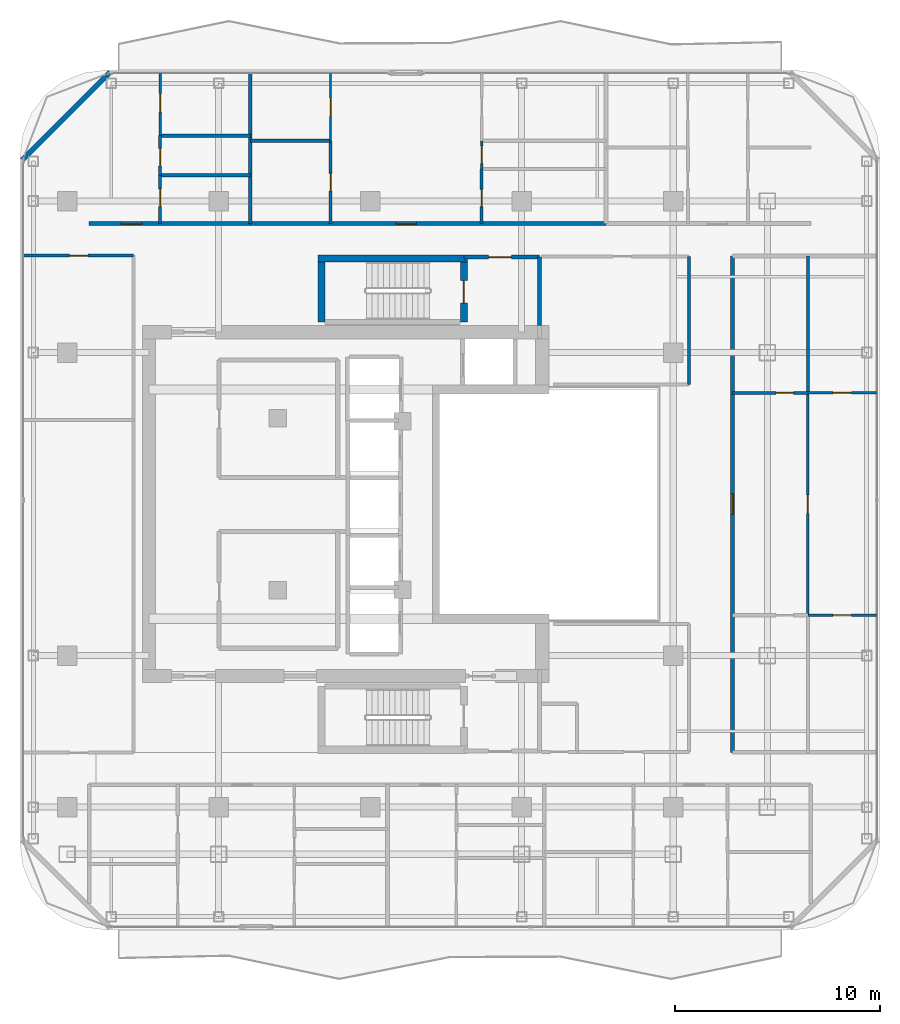
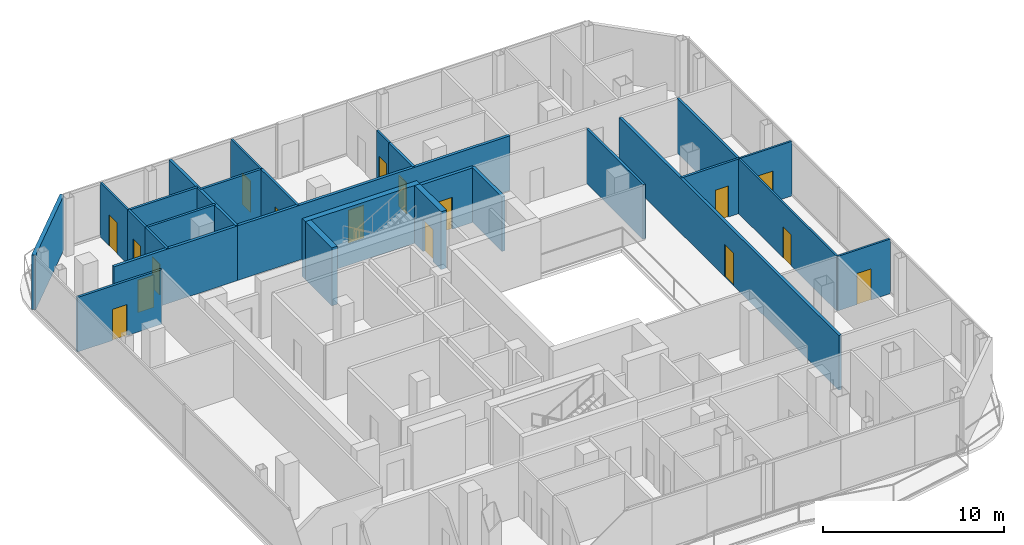
# One storey, part 19 of 23: 27 walls, 17 doors, 17 openings.
"""IFC4 building model written with IfcOpenShell, lengths in metres."""

from ifc_helpers import new_model, si_unit, direction, frame, frame_2d, origin, place, context, subcontext, project, spatial, rectangle, extrude, material, layer, layer_set, type_object, element, fill, save


model = new_model("IFC4")

# Units and contexts
model_context = context("Model", 3, precision=1e-05, world=origin(), true_north=direction((0.0, 1.0)))
body_context = subcontext(model_context, "Body", "Model", "MODEL_VIEW")
ifc_project = project(units=[si_unit("LENGTHUNIT", "METRE"), si_unit("AREAUNIT", "SQUARE_METRE"), si_unit("VOLUMEUNIT", "CUBIC_METRE"), si_unit("PLANEANGLEUNIT", "RADIAN"), si_unit("MASSUNIT", "GRAM", prefix="KILO")], contexts=[model_context])

# Site, building, storey
site_placement = place(None, origin())
site = spatial("IfcSite", under=ifc_project, at=site_placement, CompositionType="ELEMENT")
building_placement = place(site_placement, origin())
building = spatial("IfcBuilding", under=site, at=building_placement, Name="Khorvyn Point Tower", CompositionType="ELEMENT")
storey_placement = place(building_placement, frame((0.0, 0.0, 274.199951171875)))
storey = spatial("IfcBuildingStorey", under=building, at=storey_placement, Name="L67", CompositionType="ELEMENT", Elevation=274.199951171875)

# Wall, opening, door
ifc_material_1 = material(Name="Double acoustic gypsum on twin steel stud", Category="steel")
ifc_layer_1 = layer(ifc_material_1, 0.179931640625)
ifc_layer_set_1 = layer_set([ifc_layer_1], Name="Acoustic Double-Stud Apartment Demising Wall 180")
wall_type_1 = type_object("IfcWallType", Name="Acoustic Double-Stud Apartment Demising Wall 180", PredefinedType="PARTITIONING", material=ifc_layer_set_1)
wall_1_placement = place(storey_placement, frame((-13.719970703125, 13.699951171875, 0.0), z_axis=(0.0, 0.0, 1.0), x_axis=(1.0, 0.0, 0.0)))
wall_1 = element("IfcWall", 1, at=wall_1_placement, inside=storey, type_object=wall_type_1, Name="Wall", PredefinedType="PARTITIONING", context=body_context, shape_type="SweptSolid", body=[
    extrude(rectangle(XDim=7.869873046875, YDim=0.179931640625, at=frame_2d((3.93505859375, 0.0))), origin(), (0.0, 0.0, 1.0), 3.679931640625),
])
opening_1_placement = place(wall_1_placement, frame((1.576171875, 0.0, 0.0)))
opening_1 = element("IfcOpeningElement", 2, at=opening_1_placement, cuts=wall_1, Name="Opening ID-AP60", PredefinedType="OPENING", context=body_context, shape_type="SweptSolid", body=[
    extrude(rectangle(XDim=1.0, YDim=2.199951171875, at=frame_2d((0.5, 1.10009765625))), frame((0.0, 0.099853515625, 0.0), z_axis=(0.0, -1.0, 0.0), x_axis=(1.0, 0.0, 0.0)), (0.0, 0.0, 1.0), 0.199951171875),
])
ifc_material_2 = material(Name="Engineered hardwood fire-rated leaf", Category="wood")
door_type_1 = type_object("IfcDoorType", Name="Acoustic Solid-Core Timber Apartment Entrance Door 1000x2200", OperationType="NOTDEFINED", PredefinedType="DOOR", material=ifc_material_2)
door_1_placement = place(opening_1_placement, origin())
door_1 = element("IfcDoor", 3, at=door_1_placement, inside=storey, type_object=door_type_1, Name="Door", OperationType="SINGLE_SWING_LEFT", OverallHeight=2.199951171875, OverallWidth=1.0, PredefinedType="DOOR", context=body_context, shape_type="SweptSolid", body=[
    extrude(rectangle(XDim=1.0, YDim=2.199951171875, at=frame_2d((0.5, 1.10009765625))), frame((0.0, 0.02490234375, 0.0), z_axis=(0.0, -1.0, 0.0), x_axis=(1.0, 0.0, 0.0)), (0.0, 0.0, 1.0), 0.050048828125),
])
fill(opening_1, door_1)

wall_2_placement = place(storey_placement, frame((-5.85009765625, 13.699951171875, 0.0), z_axis=(0.0, 0.0, 1.0), x_axis=(1.0, 0.0, 0.0)))
wall_2 = element("IfcWall", 4, at=wall_2_placement, inside=storey, type_object=wall_type_1, Name="Wall", PredefinedType="PARTITIONING", context=body_context, shape_type="SweptSolid", body=[
    extrude(rectangle(XDim=17.3681640625, YDim=0.179931640625, at=frame_2d((8.68408203125, 0.0))), origin(), (0.0, 0.0, 1.0), 3.679931640625),
])
opening_2_placement = place(wall_2_placement, frame((7.114013671875, 0.0, 0.0)))
opening_2 = element("IfcOpeningElement", 5, at=opening_2_placement, cuts=wall_2, Name="Opening ID-AP60", PredefinedType="OPENING", context=body_context, shape_type="SweptSolid", body=[
    extrude(rectangle(XDim=1.0, YDim=2.199951171875, at=frame_2d((0.5, 1.10009765625))), frame((0.0, 0.099853515625, 0.0), z_axis=(0.0, -1.0, 0.0), x_axis=(1.0, 0.0, 0.0)), (0.0, 0.0, 1.0), 0.199951171875),
])
door_2_placement = place(opening_2_placement, origin())
door_2 = element("IfcDoor", 6, at=door_2_placement, inside=storey, type_object=door_type_1, Name="Door", OperationType="SINGLE_SWING_LEFT", OverallHeight=2.199951171875, OverallWidth=1.0, PredefinedType="DOOR", context=body_context, shape_type="SweptSolid", body=[
    extrude(rectangle(XDim=1.0, YDim=2.199951171875, at=frame_2d((0.5, 1.10009765625))), frame((0.0, 0.02490234375, 0.0), z_axis=(0.0, -1.0, 0.0), x_axis=(1.0, 0.0, 0.0)), (0.0, 0.0, 1.0), 0.050048828125),
])
fill(opening_2, door_2)

wall_3_placement = place(storey_placement, frame((17.699951171875, -12.1201171875, 0.0), z_axis=(0.0, 0.0, 1.0), x_axis=(0.0, 1.0, 0.0)))
wall_3 = element("IfcWall", 7, at=wall_3_placement, inside=storey, type_object=wall_type_1, Name="Wall", PredefinedType="PARTITIONING", context=body_context, shape_type="SweptSolid", body=[
    extrude(rectangle(XDim=24.240234375, YDim=0.179931640625, at=frame_2d((12.1201171875, 0.0))), origin(), (0.0, 0.0, 1.0), 3.679931640625),
])
opening_3_placement = place(wall_3_placement, frame((11.6201171875, 0.0, 0.0)))
opening_3 = element("IfcOpeningElement", 8, at=opening_3_placement, cuts=wall_3, Name="Opening ID-AP60", PredefinedType="OPENING", context=body_context, shape_type="SweptSolid", body=[
    extrude(rectangle(XDim=1.0, YDim=2.199951171875, at=frame_2d((0.5, 1.10009765625))), frame((0.0, 0.099853515625, 0.0), z_axis=(0.0, -1.0, 0.0), x_axis=(1.0, 0.0, 0.0)), (0.0, 0.0, 1.0), 0.199951171875),
])
door_3_placement = place(opening_3_placement, origin())
door_3 = element("IfcDoor", 9, at=door_3_placement, inside=storey, type_object=door_type_1, Name="Door", OperationType="SINGLE_SWING_LEFT", OverallHeight=2.199951171875, OverallWidth=1.0, PredefinedType="DOOR", context=body_context, shape_type="SweptSolid", body=[
    extrude(rectangle(XDim=1.0, YDim=2.199951171875, at=frame_2d((0.5, 1.10009765625))), frame((0.0, 0.02490234375, 0.0), z_axis=(0.0, -1.0, 0.0), x_axis=(1.0, 0.0, 0.0)), (0.0, 0.0, 1.0), 0.050048828125),
])
fill(opening_3, door_3)

# Walls
wall_4_placement = place(storey_placement, frame((-5.85009765625, 13.699951171875, 0.0), z_axis=(0.0, 0.0, 1.0), x_axis=(0.0, 1.0, 0.0)))
element("IfcWall", 10, at=wall_4_placement, inside=storey, type_object=wall_type_1, Name="Wall", PredefinedType="PARTITIONING", context=body_context, shape_type="SweptSolid", body=[
    extrude(rectangle(XDim=7.330078125, YDim=0.179931640625, at=frame_2d((3.6650390625, 0.0))), origin(), (0.0, 0.0, 1.0), 3.679931640625),
])
ifc_material_3 = material(Name="Pale anodised aluminium rainscreen on steel stud", Category="steel")
ifc_layer_2 = layer(ifc_material_3, 0.239990234375)
ifc_layer_set_2 = layer_set([ifc_layer_2], Name="Anodised Aluminium Insulated Corner Spandrel Wall 240")
wall_type_2 = type_object("IfcWallType", Name="Anodised Aluminium Insulated Corner Spandrel Wall 240", PredefinedType="SOLIDWALL", material=ifc_layer_set_2)
wall_5_placement = place(storey_placement, frame((-16.992431640625, 16.8076171875, 0.0), z_axis=(0.0, 0.0, 1.0), x_axis=(0.707126925818, 0.707086635981, 0.0)))
element("IfcWall", 11, at=wall_5_placement, inside=storey, type_object=wall_type_2, Name="L67 Rounded Corner Wall NW", PredefinedType="SOLIDWALL", context=body_context, shape_type="SweptSolid", body=[
    extrude(rectangle(XDim=6.0595703125, YDim=0.239990234375, at=frame_2d((3.02978515625, 0.0))), origin(), (0.0, 0.0, 1.0), 3.679931640625),
])

# Wall, opening, door
ifc_material_4 = material(Name="Concrete C40/50", Category="concrete")
ifc_layer_3 = layer(ifc_material_4, 0.199951171875)
ifc_layer_set_3 = layer_set([ifc_layer_3], Name="Concrete C40/50 Fire-Lobby Compartment Wall 200")
wall_type_3 = type_object("IfcWallType", Name="Concrete C40/50 Fire-Lobby Compartment Wall 200", PredefinedType="SOLIDWALL", material=ifc_layer_set_3)
wall_6_placement = place(storey_placement, frame((4.580078125, 12.06005859375, 0.0), z_axis=(0.0, 0.0, 1.0), x_axis=(1.0, 0.0, 0.0)))
wall_6 = element("IfcWall", 12, at=wall_6_placement, inside=storey, type_object=wall_type_3, Name="Wall", PredefinedType="SOLIDWALL", context=body_context, shape_type="SweptSolid", body=[
    extrude(rectangle(XDim=3.699951171875, YDim=0.199951171875, at=frame_2d((1.85009765625, 0.0))), origin(), (0.0, 0.0, 1.0), 3.679931640625),
])
opening_4_placement = place(wall_6_placement, frame((1.21240234375, 0.0, 0.0)))
opening_4 = element("IfcOpeningElement", 13, at=opening_4_placement, cuts=wall_6, Name="Opening ID-FL90", PredefinedType="OPENING", context=body_context, shape_type="SweptSolid", body=[
    extrude(rectangle(XDim=1.10009765625, YDim=2.14990234375, at=frame_2d((0.550048828125, 1.074951171875))), frame((0.0, 0.10986328125, 0.0), z_axis=(0.0, -1.0, 0.0), x_axis=(1.0, 0.0, 0.0)), (0.0, 0.0, 1.0), 0.219970703125),
])
ifc_material_5 = material(Name="Galvanised powder-coated steel", Category="steel")
door_type_2 = type_object("IfcDoorType", Name="Fire-Rated Steel Lobby and Stair Door 1100x2150", OperationType="NOTDEFINED", PredefinedType="DOOR", material=ifc_material_5)
door_4_placement = place(opening_4_placement, origin())
door_4 = element("IfcDoor", 14, at=door_4_placement, inside=storey, type_object=door_type_2, Name="Door", OperationType="SINGLE_SWING_LEFT", OverallHeight=2.14990234375, OverallWidth=1.10009765625, PredefinedType="DOOR", context=body_context, shape_type="SweptSolid", body=[
    extrude(rectangle(XDim=1.10009765625, YDim=2.14990234375, at=frame_2d((0.550048828125, 1.074951171875))), frame((0.0, 0.02490234375, 0.0), z_axis=(0.0, -1.0, 0.0), x_axis=(1.0, 0.0, 0.0)), (0.0, 0.0, 1.0), 0.050048828125),
])
fill(opening_4, door_4)

# Walls
wall_7_placement = place(storey_placement, frame((8.280029296875, 8.72509765625, 0.0), z_axis=(0.0, 0.0, 1.0), x_axis=(0.0, 1.0, 0.0)))
element("IfcWall", 15, at=wall_7_placement, inside=storey, type_object=wall_type_3, Name="Wall", PredefinedType="SOLIDWALL", context=body_context, shape_type="SweptSolid", body=[
    extrude(rectangle(XDim=3.3349609375, YDim=0.199951171875, at=frame_2d((1.66748046875, 0.0))), origin(), (0.0, 0.0, 1.0), 3.679931640625),
])
ifc_layer_4 = layer(ifc_material_4, 0.35009765625)
ifc_layer_set_4 = layer_set([ifc_layer_4], Name="Concrete C40/50 Stair Shaft Structural Wall 350")
wall_type_4 = type_object("IfcWallType", Name="Concrete C40/50 Stair Shaft Structural Wall 350", PredefinedType="SHEAR", material=ifc_layer_set_4)
wall_8_placement = place(storey_placement, frame((-2.554931640625, 12.0, 0.0), z_axis=(0.0, 0.0, 1.0), x_axis=(1.0, 0.0, 0.0)))
element("IfcWall", 16, at=wall_8_placement, inside=storey, type_object=wall_type_4, Name="L67 ST-02 North Shaft Wall", PredefinedType="SHEAR", context=body_context, shape_type="SweptSolid", body=[
    extrude(rectangle(XDim=7.309814453125, YDim=0.35009765625, at=frame_2d((3.65478515625, 0.0))), origin(), (0.0, 0.0, 1.0), 3.900146484375),
])
wall_9_placement = place(storey_placement, frame((-2.3798828125, 8.89990234375, 0.0), z_axis=(0.0, 0.0, 1.0), x_axis=(0.0, 1.0, 0.0)))
element("IfcWall", 17, at=wall_9_placement, inside=storey, type_object=wall_type_4, Name="L67 ST-02 West Shaft Wall", PredefinedType="SHEAR", context=body_context, shape_type="SweptSolid", body=[
    extrude(rectangle(XDim=2.925048828125, YDim=0.35009765625, at=frame_2d((1.46240234375, 0.0))), origin(), (0.0, 0.0, 1.0), 3.900146484375),
])

# Wall, opening, door
wall_10_placement = place(storey_placement, frame((4.580078125, 11.824951171875, 0.0), z_axis=(0.0, 0.0, 1.0), x_axis=(0.0, -1.0, 0.0)))
wall_10 = element("IfcWall", 18, at=wall_10_placement, inside=storey, type_object=wall_type_4, Name="L67 ST-02 East Landing Door Wall", PredefinedType="SHEAR", context=body_context, shape_type="SweptSolid", body=[
    extrude(rectangle(XDim=2.925048828125, YDim=0.35009765625, at=frame_2d((1.46240234375, 0.0))), origin(), (0.0, 0.0, 1.0), 3.900146484375),
])
opening_5_placement = place(wall_10_placement, frame((0.91259765625, 0.0, 0.0)))
opening_5 = element("IfcOpeningElement", 19, at=opening_5_placement, cuts=wall_10, Name="Opening ID-FL90", PredefinedType="OPENING", context=body_context, shape_type="SweptSolid", body=[
    extrude(rectangle(XDim=1.10009765625, YDim=2.14990234375, at=frame_2d((0.550048828125, 1.074951171875))), frame((0.0, 0.18505859375, 0.0), z_axis=(0.0, -1.0, 0.0), x_axis=(1.0, 0.0, 0.0)), (0.0, 0.0, 1.0), 0.3701171875),
])
door_5_placement = place(opening_5_placement, origin())
door_5 = element("IfcDoor", 20, at=door_5_placement, inside=storey, type_object=door_type_2, Name="L67 ST-02 Smokeproof Landing Door", OperationType="SINGLE_SWING_RIGHT", OverallHeight=2.14990234375, OverallWidth=1.10009765625, PredefinedType="DOOR", context=body_context, shape_type="SweptSolid", body=[
    extrude(rectangle(XDim=1.10009765625, YDim=2.14990234375, at=frame_2d((0.550048828125, 1.074951171875))), frame((0.0, 0.02490234375, 0.0), z_axis=(0.0, -1.0, 0.0), x_axis=(1.0, 0.0, 0.0)), (0.0, 0.0, 1.0), 0.050048828125),
])
fill(opening_5, door_5)

ifc_material_6 = material(Name="Gypsum plasterboard on steel stud", Category="steel")
ifc_layer_5 = layer(ifc_material_6, 0.1201171875)
ifc_layer_set_5 = layer_set([ifc_layer_5], Name="Gypsum Acoustic Stud Room Partition Wall 120")
wall_type_5 = type_object("IfcWallType", Name="Gypsum Acoustic Stud Room Partition Wall 120", PredefinedType="PARTITIONING", material=ifc_layer_set_5)
wall_11_placement = place(storey_placement, frame((-10.257080078125, 17.989990234375, 0.0), z_axis=(0.0, 0.0, 1.0), x_axis=(0.0, 1.0, 0.0)))
wall_11 = element("IfcWall", 21, at=wall_11_placement, inside=storey, type_object=wall_type_5, Name="Wall", PredefinedType="PARTITIONING", context=body_context, shape_type="SweptSolid", body=[
    extrude(rectangle(XDim=3.0400390625, YDim=0.1201171875, at=frame_2d((1.52001953125, 0.0))), origin(), (0.0, 0.0, 1.0), 3.679931640625),
])
opening_6_placement = place(wall_11_placement, frame((1.152587890625, 0.0, 0.0)))
opening_6 = element("IfcOpeningElement", 22, at=opening_6_placement, cuts=wall_11, Name="Opening ID-RM90", PredefinedType="OPENING", context=body_context, shape_type="SweptSolid", body=[
    extrude(rectangle(XDim=0.89990234375, YDim=2.10009765625, at=frame_2d((0.449951171875, 1.050048828125))), frame((0.0, 0.070068359375, 0.0), z_axis=(0.0, -1.0, 0.0), x_axis=(1.0, 0.0, 0.0)), (0.0, 0.0, 1.0), 0.14013671875),
])
ifc_material_7 = material(Name="Engineered oak veneer timber", Category="wood")
door_type_3 = type_object("IfcDoorType", Name="Flush Engineered Timber Room Door 900x2100", OperationType="NOTDEFINED", PredefinedType="DOOR", material=ifc_material_7)
door_6_placement = place(opening_6_placement, origin())
door_6 = element("IfcDoor", 23, at=door_6_placement, inside=storey, type_object=door_type_3, Name="Door", OperationType="SINGLE_SWING_RIGHT", OverallHeight=2.10009765625, OverallWidth=0.89990234375, PredefinedType="DOOR", context=body_context, shape_type="SweptSolid", body=[
    extrude(rectangle(XDim=0.89990234375, YDim=2.10009765625, at=frame_2d((0.449951171875, 1.050048828125))), frame((0.0, 0.02490234375, 0.0), z_axis=(0.0, -1.0, 0.0), x_axis=(1.0, 0.0, 0.0)), (0.0, 0.0, 1.0), 0.050048828125),
])
fill(opening_6, door_6)

wall_12_placement = place(storey_placement, frame((-1.93505859375, 17.743896484375, 0.0), z_axis=(0.0, 0.0, 1.0), x_axis=(0.0, 1.0, 0.0)))
wall_12 = element("IfcWall", 24, at=wall_12_placement, inside=storey, type_object=wall_type_5, Name="Wall", PredefinedType="PARTITIONING", context=body_context, shape_type="SweptSolid", body=[
    extrude(rectangle(XDim=3.2861328125, YDim=0.1201171875, at=frame_2d((1.64306640625, 0.0))), origin(), (0.0, 0.0, 1.0), 3.679931640625),
])
opening_7_placement = place(wall_12_placement, frame((1.193115234375, 0.0, 0.0)))
opening_7 = element("IfcOpeningElement", 25, at=opening_7_placement, cuts=wall_12, Name="Opening ID-RM90", PredefinedType="OPENING", context=body_context, shape_type="SweptSolid", body=[
    extrude(rectangle(XDim=0.89990234375, YDim=2.10009765625, at=frame_2d((0.449951171875, 1.050048828125))), frame((0.0, 0.070068359375, 0.0), z_axis=(0.0, -1.0, 0.0), x_axis=(1.0, 0.0, 0.0)), (0.0, 0.0, 1.0), 0.14013671875),
])
door_7_placement = place(opening_7_placement, origin())
door_7 = element("IfcDoor", 26, at=door_7_placement, inside=storey, type_object=door_type_3, Name="Door", OperationType="SINGLE_SWING_LEFT", OverallHeight=2.10009765625, OverallWidth=0.89990234375, PredefinedType="DOOR", context=body_context, shape_type="SweptSolid", body=[
    extrude(rectangle(XDim=0.89990234375, YDim=2.10009765625, at=frame_2d((0.449951171875, 1.050048828125))), frame((0.0, 0.02490234375, 0.0), z_axis=(0.0, -1.0, 0.0), x_axis=(1.0, 0.0, 0.0)), (0.0, 0.0, 1.0), 0.050048828125),
])
fill(opening_7, door_7)

wall_13_placement = place(storey_placement, frame((5.448974609375, 16.361083984375, 0.0), z_axis=(0.0, 0.0, 1.0), x_axis=(0.0, 1.0, 0.0)))
wall_13 = element("IfcWall", 27, at=wall_13_placement, inside=storey, type_object=wall_type_5, Name="Wall", PredefinedType="PARTITIONING", context=body_context, shape_type="SweptSolid", body=[
    extrude(rectangle(XDim=1.3828125, YDim=0.1201171875, at=frame_2d((0.69140625, 0.0))), origin(), (0.0, 0.0, 1.0), 3.679931640625),
])
opening_8_placement = place(wall_13_placement, frame((0.2666015625, 0.0, 0.0)))
opening_8 = element("IfcOpeningElement", 28, at=opening_8_placement, cuts=wall_13, Name="Opening ID-WC85", PredefinedType="OPENING", context=body_context, shape_type="SweptSolid", body=[
    extrude(rectangle(XDim=0.85009765625, YDim=2.10009765625, at=frame_2d((0.425048828125, 1.050048828125))), frame((0.0, 0.070068359375, 0.0), z_axis=(0.0, -1.0, 0.0), x_axis=(1.0, 0.0, 0.0)), (0.0, 0.0, 1.0), 0.14013671875),
])
ifc_material_8 = material(Name="High-pressure laminate on moisture-resistant core", Category="wood")
door_type_4 = type_object("IfcDoorType", Name="Moisture-Resistant Accessible Washroom Door 850x2100", OperationType="NOTDEFINED", PredefinedType="DOOR", material=ifc_material_8)
door_8_placement = place(opening_8_placement, origin())
door_8 = element("IfcDoor", 29, at=door_8_placement, inside=storey, type_object=door_type_4, Name="Door", OperationType="SINGLE_SWING_LEFT", OverallHeight=2.10009765625, OverallWidth=0.85009765625, PredefinedType="DOOR", context=body_context, shape_type="SweptSolid", body=[
    extrude(rectangle(XDim=0.85009765625, YDim=2.10009765625, at=frame_2d((0.425048828125, 1.050048828125))), frame((0.0, 0.02490234375, 0.0), z_axis=(0.0, -1.0, 0.0), x_axis=(1.0, 0.0, 0.0)), (0.0, 0.0, 1.0), 0.050048828125),
])
fill(opening_8, door_8)

wall_14_placement = place(storey_placement, frame((21.376953125, -5.427978515625, 0.0), z_axis=(0.0, 0.0, 1.0), x_axis=(0.0, 1.0, 0.0)))
wall_14 = element("IfcWall", 30, at=wall_14_placement, inside=storey, type_object=wall_type_5, Name="Wall", PredefinedType="PARTITIONING", context=body_context, shape_type="SweptSolid", body=[
    extrude(rectangle(XDim=10.85595703125, YDim=0.1201171875, at=frame_2d((5.427978515625, 0.0))), origin(), (0.0, 0.0, 1.0), 3.679931640625),
])
opening_9_placement = place(wall_14_placement, frame((4.97802734375, 0.0, 0.0)))
opening_9 = element("IfcOpeningElement", 31, at=opening_9_placement, cuts=wall_14, Name="Opening ID-RM90", PredefinedType="OPENING", context=body_context, shape_type="SweptSolid", body=[
    extrude(rectangle(XDim=0.89990234375, YDim=2.10009765625, at=frame_2d((0.449951171875, 1.050048828125))), frame((0.0, 0.070068359375, 0.0), z_axis=(0.0, -1.0, 0.0), x_axis=(1.0, 0.0, 0.0)), (0.0, 0.0, 1.0), 0.14013671875),
])
door_9_placement = place(opening_9_placement, origin())
door_9 = element("IfcDoor", 32, at=door_9_placement, inside=storey, type_object=door_type_3, Name="Door", OperationType="SINGLE_SWING_RIGHT", OverallHeight=2.10009765625, OverallWidth=0.89990234375, PredefinedType="DOOR", context=body_context, shape_type="SweptSolid", body=[
    extrude(rectangle(XDim=0.89990234375, YDim=2.10009765625, at=frame_2d((0.449951171875, 1.050048828125))), frame((0.0, 0.02490234375, 0.0), z_axis=(0.0, -1.0, 0.0), x_axis=(1.0, 0.0, 0.0)), (0.0, 0.0, 1.0), 0.050048828125),
])
fill(opening_9, door_9)

wall_15_placement = place(storey_placement, frame((21.376953125, -5.427978515625, 0.0), z_axis=(0.0, 0.0, 1.0), x_axis=(1.0, 0.0, 0.0)))
wall_15 = element("IfcWall", 33, at=wall_15_placement, inside=storey, type_object=wall_type_5, Name="Wall", PredefinedType="PARTITIONING", context=body_context, shape_type="SweptSolid", body=[
    extrude(rectangle(XDim=3.35302734375, YDim=0.1201171875, at=frame_2d((1.676513671875, 0.0))), origin(), (0.0, 0.0, 1.0), 3.679931640625),
])
opening_10_placement = place(wall_15_placement, frame((1.2265625, 0.0, 0.0)))
opening_10 = element("IfcOpeningElement", 34, at=opening_10_placement, cuts=wall_15, Name="Opening ID-RM90", PredefinedType="OPENING", context=body_context, shape_type="SweptSolid", body=[
    extrude(rectangle(XDim=0.89990234375, YDim=2.10009765625, at=frame_2d((0.449951171875, 1.050048828125))), frame((0.0, 0.070068359375, 0.0), z_axis=(0.0, -1.0, 0.0), x_axis=(1.0, 0.0, 0.0)), (0.0, 0.0, 1.0), 0.14013671875),
])
door_10_placement = place(opening_10_placement, origin())
door_10 = element("IfcDoor", 35, at=door_10_placement, inside=storey, type_object=door_type_3, Name="Door", OperationType="SINGLE_SWING_LEFT", OverallHeight=2.10009765625, OverallWidth=0.89990234375, PredefinedType="DOOR", context=body_context, shape_type="SweptSolid", body=[
    extrude(rectangle(XDim=0.89990234375, YDim=2.10009765625, at=frame_2d((0.449951171875, 1.050048828125))), frame((0.0, 0.02490234375, 0.0), z_axis=(0.0, -1.0, 0.0), x_axis=(1.0, 0.0, 0.0)), (0.0, 0.0, 1.0), 0.050048828125),
])
fill(opening_10, door_10)

wall_16_placement = place(storey_placement, frame((21.376953125, 5.427978515625, 0.0), z_axis=(0.0, 0.0, 1.0), x_axis=(1.0, 0.0, 0.0)))
wall_16 = element("IfcWall", 36, at=wall_16_placement, inside=storey, type_object=wall_type_5, Name="Wall", PredefinedType="PARTITIONING", context=body_context, shape_type="SweptSolid", body=[
    extrude(rectangle(XDim=3.35302734375, YDim=0.1201171875, at=frame_2d((1.676513671875, 0.0))), origin(), (0.0, 0.0, 1.0), 3.679931640625),
])
opening_11_placement = place(wall_16_placement, frame((1.2265625, 0.0, 0.0)))
opening_11 = element("IfcOpeningElement", 37, at=opening_11_placement, cuts=wall_16, Name="Opening ID-RM90", PredefinedType="OPENING", context=body_context, shape_type="SweptSolid", body=[
    extrude(rectangle(XDim=0.89990234375, YDim=2.10009765625, at=frame_2d((0.449951171875, 1.050048828125))), frame((0.0, 0.070068359375, 0.0), z_axis=(0.0, -1.0, 0.0), x_axis=(1.0, 0.0, 0.0)), (0.0, 0.0, 1.0), 0.14013671875),
])
door_11_placement = place(opening_11_placement, origin())
door_11 = element("IfcDoor", 38, at=door_11_placement, inside=storey, type_object=door_type_3, Name="Door", OperationType="SINGLE_SWING_RIGHT", OverallHeight=2.10009765625, OverallWidth=0.89990234375, PredefinedType="DOOR", context=body_context, shape_type="SweptSolid", body=[
    extrude(rectangle(XDim=0.89990234375, YDim=2.10009765625, at=frame_2d((0.449951171875, 1.050048828125))), frame((0.0, 0.02490234375, 0.0), z_axis=(0.0, -1.0, 0.0), x_axis=(1.0, 0.0, 0.0)), (0.0, 0.0, 1.0), 0.050048828125),
])
fill(opening_11, door_11)

ifc_material_9 = material(Name="Moisture-resistant gypsum and cement board", Category="gypsum")
ifc_layer_6 = layer(ifc_material_9, 0.14990234375)
ifc_layer_set_6 = layer_set([ifc_layer_6], Name="Moisture-Resistant Wet-Room Partition Wall 150")
wall_type_6 = type_object("IfcWallType", Name="Moisture-Resistant Wet-Room Partition Wall 150", PredefinedType="PARTITIONING", material=ifc_layer_set_6)
wall_17_placement = place(storey_placement, frame((-10.257080078125, 13.699951171875, 0.0), z_axis=(0.0, 0.0, 1.0), x_axis=(0.0, 1.0, 0.0)))
wall_17 = element("IfcWall", 39, at=wall_17_placement, inside=storey, type_object=wall_type_6, Name="Wall", PredefinedType="PARTITIONING", context=body_context, shape_type="SweptSolid", body=[
    extrude(rectangle(XDim=2.359130859375, YDim=0.14990234375, at=frame_2d((1.1796875, 0.0))), origin(), (0.0, 0.0, 1.0), 3.679931640625),
])
opening_12_placement = place(wall_17_placement, frame((0.83935546875, 0.0, 0.0)))
opening_12 = element("IfcOpeningElement", 40, at=opening_12_placement, cuts=wall_17, Name="Opening ID-WC85", PredefinedType="OPENING", context=body_context, shape_type="SweptSolid", body=[
    extrude(rectangle(XDim=0.85009765625, YDim=2.10009765625, at=frame_2d((0.425048828125, 1.050048828125))), frame((0.0, 0.0849609375, 0.0), z_axis=(0.0, -1.0, 0.0), x_axis=(1.0, 0.0, 0.0)), (0.0, 0.0, 1.0), 0.169921875),
])
door_12_placement = place(opening_12_placement, origin())
door_12 = element("IfcDoor", 41, at=door_12_placement, inside=storey, type_object=door_type_4, Name="Door", OperationType="SINGLE_SWING_RIGHT", OverallHeight=2.10009765625, OverallWidth=0.85009765625, PredefinedType="DOOR", context=body_context, shape_type="SweptSolid", body=[
    extrude(rectangle(XDim=0.85009765625, YDim=2.10009765625, at=frame_2d((0.425048828125, 1.050048828125))), frame((0.0, 0.02490234375, 0.0), z_axis=(0.0, -1.0, 0.0), x_axis=(1.0, 0.0, 0.0)), (0.0, 0.0, 1.0), 0.050048828125),
])
fill(opening_12, door_12)

wall_18_placement = place(storey_placement, frame((-10.257080078125, 16.05908203125, 0.0), z_axis=(0.0, 0.0, 1.0), x_axis=(0.0, 1.0, 0.0)))
wall_18 = element("IfcWall", 42, at=wall_18_placement, inside=storey, type_object=wall_type_6, Name="Wall", PredefinedType="PARTITIONING", context=body_context, shape_type="SweptSolid", body=[
    extrude(rectangle(XDim=1.930908203125, YDim=0.14990234375, at=frame_2d((0.96533203125, 0.0))), origin(), (0.0, 0.0, 1.0), 3.679931640625),
])
opening_13_placement = place(wall_18_placement, frame((0.46435546875, 0.0, 0.0)))
opening_13 = element("IfcOpeningElement", 43, at=opening_13_placement, cuts=wall_18, Name="Opening ID-WC85", PredefinedType="OPENING", context=body_context, shape_type="SweptSolid", body=[
    extrude(rectangle(XDim=0.85009765625, YDim=2.10009765625, at=frame_2d((0.425048828125, 1.050048828125))), frame((0.0, 0.0849609375, 0.0), z_axis=(0.0, -1.0, 0.0), x_axis=(1.0, 0.0, 0.0)), (0.0, 0.0, 1.0), 0.169921875),
])
door_13_placement = place(opening_13_placement, origin())
door_13 = element("IfcDoor", 44, at=door_13_placement, inside=storey, type_object=door_type_4, Name="Door", OperationType="SINGLE_SWING_LEFT", OverallHeight=2.10009765625, OverallWidth=0.85009765625, PredefinedType="DOOR", context=body_context, shape_type="SweptSolid", body=[
    extrude(rectangle(XDim=0.85009765625, YDim=2.10009765625, at=frame_2d((0.425048828125, 1.050048828125))), frame((0.0, 0.02490234375, 0.0), z_axis=(0.0, -1.0, 0.0), x_axis=(1.0, 0.0, 0.0)), (0.0, 0.0, 1.0), 0.050048828125),
])
fill(opening_13, door_13)

wall_19_placement = place(storey_placement, frame((-1.93505859375, 13.699951171875, 0.0), z_axis=(0.0, 0.0, 1.0), x_axis=(0.0, 1.0, 0.0)))
wall_19 = element("IfcWall", 45, at=wall_19_placement, inside=storey, type_object=wall_type_6, Name="Wall", PredefinedType="PARTITIONING", context=body_context, shape_type="SweptSolid", body=[
    extrude(rectangle(XDim=4.0439453125, YDim=0.14990234375, at=frame_2d((2.02197265625, 0.0))), origin(), (0.0, 0.0, 1.0), 3.679931640625),
])
opening_14_placement = place(wall_19_placement, frame((1.596923828125, 0.0, 0.0)))
opening_14 = element("IfcOpeningElement", 46, at=opening_14_placement, cuts=wall_19, Name="Opening ID-WC85", PredefinedType="OPENING", context=body_context, shape_type="SweptSolid", body=[
    extrude(rectangle(XDim=0.85009765625, YDim=2.10009765625, at=frame_2d((0.425048828125, 1.050048828125))), frame((0.0, 0.0849609375, 0.0), z_axis=(0.0, -1.0, 0.0), x_axis=(1.0, 0.0, 0.0)), (0.0, 0.0, 1.0), 0.169921875),
])
door_14_placement = place(opening_14_placement, origin())
door_14 = element("IfcDoor", 47, at=door_14_placement, inside=storey, type_object=door_type_4, Name="Door", OperationType="SINGLE_SWING_RIGHT", OverallHeight=2.10009765625, OverallWidth=0.85009765625, PredefinedType="DOOR", context=body_context, shape_type="SweptSolid", body=[
    extrude(rectangle(XDim=0.85009765625, YDim=2.10009765625, at=frame_2d((0.425048828125, 1.050048828125))), frame((0.0, 0.02490234375, 0.0), z_axis=(0.0, -1.0, 0.0), x_axis=(1.0, 0.0, 0.0)), (0.0, 0.0, 1.0), 0.050048828125),
])
fill(opening_14, door_14)

wall_20_placement = place(storey_placement, frame((5.448974609375, 13.699951171875, 0.0), z_axis=(0.0, 0.0, 1.0), x_axis=(0.0, 1.0, 0.0)))
wall_20 = element("IfcWall", 48, at=wall_20_placement, inside=storey, type_object=wall_type_6, Name="Wall", PredefinedType="PARTITIONING", context=body_context, shape_type="SweptSolid", body=[
    extrude(rectangle(XDim=2.6611328125, YDim=0.14990234375, at=frame_2d((1.33056640625, 0.0))), origin(), (0.0, 0.0, 1.0), 3.679931640625),
])
opening_15_placement = place(wall_20_placement, frame((0.82275390625, 0.0, 0.0)))
opening_15 = element("IfcOpeningElement", 49, at=opening_15_placement, cuts=wall_20, Name="Opening ID-WC85", PredefinedType="OPENING", context=body_context, shape_type="SweptSolid", body=[
    extrude(rectangle(XDim=0.85009765625, YDim=2.10009765625, at=frame_2d((0.425048828125, 1.050048828125))), frame((0.0, 0.0849609375, 0.0), z_axis=(0.0, -1.0, 0.0), x_axis=(1.0, 0.0, 0.0)), (0.0, 0.0, 1.0), 0.169921875),
])
door_15_placement = place(opening_15_placement, origin())
door_15 = element("IfcDoor", 50, at=door_15_placement, inside=storey, type_object=door_type_4, Name="Door", OperationType="SINGLE_SWING_RIGHT", OverallHeight=2.10009765625, OverallWidth=0.85009765625, PredefinedType="DOOR", context=body_context, shape_type="SweptSolid", body=[
    extrude(rectangle(XDim=0.85009765625, YDim=2.10009765625, at=frame_2d((0.425048828125, 1.050048828125))), frame((0.0, 0.02490234375, 0.0), z_axis=(0.0, -1.0, 0.0), x_axis=(1.0, 0.0, 0.0)), (0.0, 0.0, 1.0), 0.050048828125),
])
fill(opening_15, door_15)

wall_21_placement = place(storey_placement, frame((-16.929931640625, 12.139892578125, 0.0), z_axis=(0.0, 0.0, 1.0), x_axis=(1.0, 0.0, 0.0)))
wall_21 = element("IfcWall", 51, at=wall_21_placement, inside=storey, type_object=wall_type_6, Name="Wall", PredefinedType="PARTITIONING", context=body_context, shape_type="SweptSolid", body=[
    extrude(rectangle(XDim=5.3798828125, YDim=0.14990234375, at=frame_2d((2.68994140625, 0.0))), origin(), (0.0, 0.0, 1.0), 3.679931640625),
])
opening_16_placement = place(wall_21_placement, frame((2.239990234375, 0.0, 0.0)))
opening_16 = element("IfcOpeningElement", 52, at=opening_16_placement, cuts=wall_21, Name="Opening ID-RM90", PredefinedType="OPENING", context=body_context, shape_type="SweptSolid", body=[
    extrude(rectangle(XDim=0.89990234375, YDim=2.10009765625, at=frame_2d((0.449951171875, 1.050048828125))), frame((0.0, 0.0849609375, 0.0), z_axis=(0.0, -1.0, 0.0), x_axis=(1.0, 0.0, 0.0)), (0.0, 0.0, 1.0), 0.169921875),
])
door_16_placement = place(opening_16_placement, origin())
door_16 = element("IfcDoor", 53, at=door_16_placement, inside=storey, type_object=door_type_3, Name="Door", OperationType="SINGLE_SWING_RIGHT", OverallHeight=2.10009765625, OverallWidth=0.89990234375, PredefinedType="DOOR", context=body_context, shape_type="SweptSolid", body=[
    extrude(rectangle(XDim=0.89990234375, YDim=2.10009765625, at=frame_2d((0.449951171875, 1.050048828125))), frame((0.0, 0.02490234375, 0.0), z_axis=(0.0, -1.0, 0.0), x_axis=(1.0, 0.0, 0.0)), (0.0, 0.0, 1.0), 0.050048828125),
])
fill(opening_16, door_16)

wall_22_placement = place(storey_placement, frame((17.699951171875, 5.427978515625, 0.0), z_axis=(0.0, 0.0, 1.0), x_axis=(1.0, 0.0, 0.0)))
wall_22 = element("IfcWall", 54, at=wall_22_placement, inside=storey, type_object=wall_type_6, Name="Wall", PredefinedType="PARTITIONING", context=body_context, shape_type="SweptSolid", body=[
    extrude(rectangle(XDim=3.677001953125, YDim=0.14990234375, at=frame_2d((1.83837890625, 0.0))), origin(), (0.0, 0.0, 1.0), 3.679931640625),
])
opening_17_placement = place(wall_22_placement, frame((2.1298828125, 0.0, 0.0)))
opening_17 = element("IfcOpeningElement", 55, at=opening_17_placement, cuts=wall_22, Name="Opening ID-WC85", PredefinedType="OPENING", context=body_context, shape_type="SweptSolid", body=[
    extrude(rectangle(XDim=0.85009765625, YDim=2.10009765625, at=frame_2d((0.425048828125, 1.050048828125))), frame((0.0, 0.0849609375, 0.0), z_axis=(0.0, -1.0, 0.0), x_axis=(1.0, 0.0, 0.0)), (0.0, 0.0, 1.0), 0.169921875),
])
door_17_placement = place(opening_17_placement, origin())
door_17 = element("IfcDoor", 56, at=door_17_placement, inside=storey, type_object=door_type_4, Name="Door", OperationType="SINGLE_SWING_LEFT", OverallHeight=2.10009765625, OverallWidth=0.85009765625, PredefinedType="DOOR", context=body_context, shape_type="SweptSolid", body=[
    extrude(rectangle(XDim=0.85009765625, YDim=2.10009765625, at=frame_2d((0.425048828125, 1.050048828125))), frame((0.0, 0.02490234375, 0.0), z_axis=(0.0, -1.0, 0.0), x_axis=(1.0, 0.0, 0.0)), (0.0, 0.0, 1.0), 0.050048828125),
])
fill(opening_17, door_17)

# Walls
wall_23_placement = place(storey_placement, frame((15.580078125, 5.85009765625, 0.0), z_axis=(0.0, 0.0, 1.0), x_axis=(0.0, 1.0, 0.0)))
element("IfcWall", 57, at=wall_23_placement, inside=storey, type_object=wall_type_6, Name="Wall", PredefinedType="PARTITIONING", context=body_context, shape_type="SweptSolid", body=[
    extrude(rectangle(XDim=6.25, YDim=0.14990234375, at=frame_2d((3.125, 0.0))), origin(), (0.0, 0.0, 1.0), 3.679931640625),
])
for number, where, z_axis, x_axis, name in (
    (58, (-10.257080078125, 16.05908203125, 0.0), (0.0, 0.0, 1.0), (1.0, 0.0, 0.0), "Wall"),
    (59, (-10.257080078125, 17.989990234375, 0.0), (0.0, 0.0, 1.0), (1.0, 0.0, 0.0), "Wall"),
):
    element("IfcWall", number, at=place(storey_placement, frame(where, z_axis=z_axis, x_axis=x_axis)), inside=storey, type_object=wall_type_6, Name=name, PredefinedType="PARTITIONING", context=body_context, shape_type="SweptSolid", body=[
        extrude(rectangle(XDim=4.406982421875, YDim=0.14990234375, at=frame_2d((2.20361328125, 0.0))), origin(), (0.0, 0.0, 1.0), 3.679931640625),
    ])
wall_24_placement = place(storey_placement, frame((-5.85009765625, 17.743896484375, 0.0), z_axis=(0.0, 0.0, 1.0), x_axis=(1.0, 0.0, 0.0)))
element("IfcWall", 60, at=wall_24_placement, inside=storey, type_object=wall_type_6, Name="Wall", PredefinedType="PARTITIONING", context=body_context, shape_type="SweptSolid", body=[
    extrude(rectangle(XDim=3.9150390625, YDim=0.14990234375, at=frame_2d((1.95751953125, 0.0))), origin(), (0.0, 0.0, 1.0), 3.679931640625),
])
wall_25_placement = place(storey_placement, frame((21.376953125, 5.427978515625, 0.0), z_axis=(0.0, 0.0, 1.0), x_axis=(0.0, 1.0, 0.0)))
element("IfcWall", 61, at=wall_25_placement, inside=storey, type_object=wall_type_6, Name="Wall", PredefinedType="PARTITIONING", context=body_context, shape_type="SweptSolid", body=[
    extrude(rectangle(XDim=6.692138671875, YDim=0.14990234375, at=frame_2d((3.34619140625, 0.0))), origin(), (0.0, 0.0, 1.0), 3.679931640625),
])

save(model, "model.ifc")
